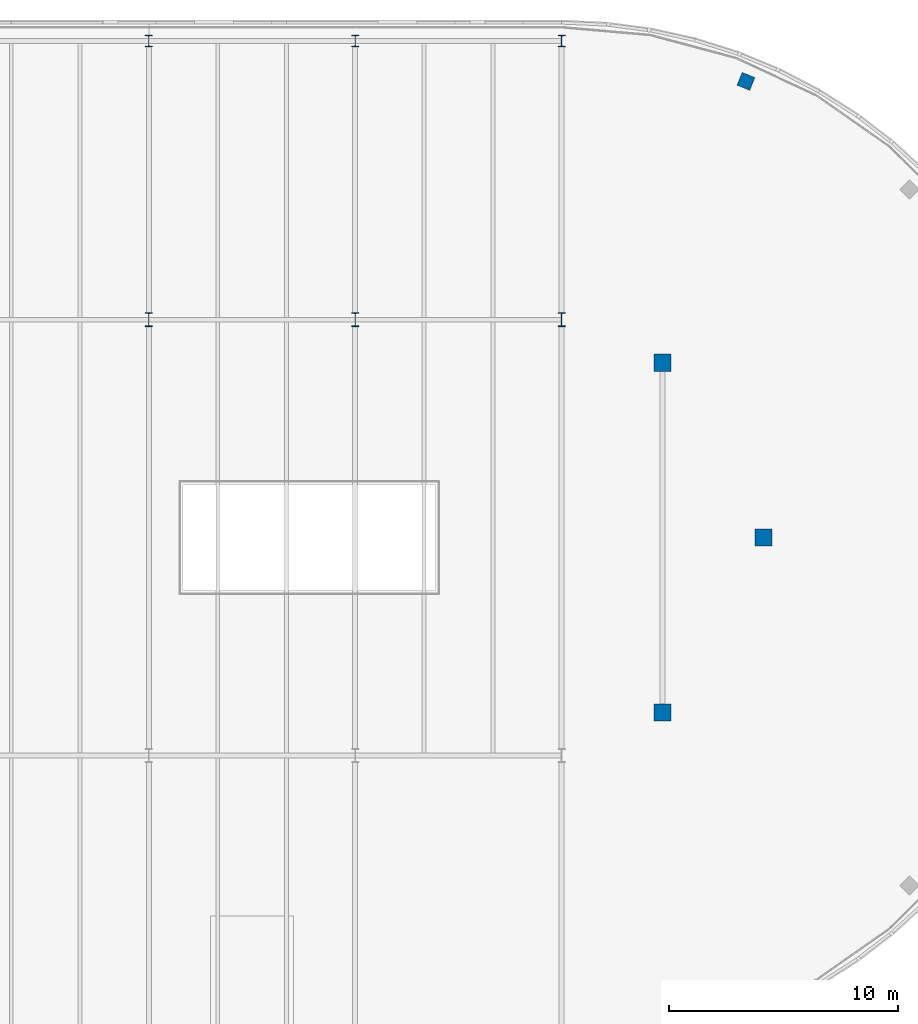
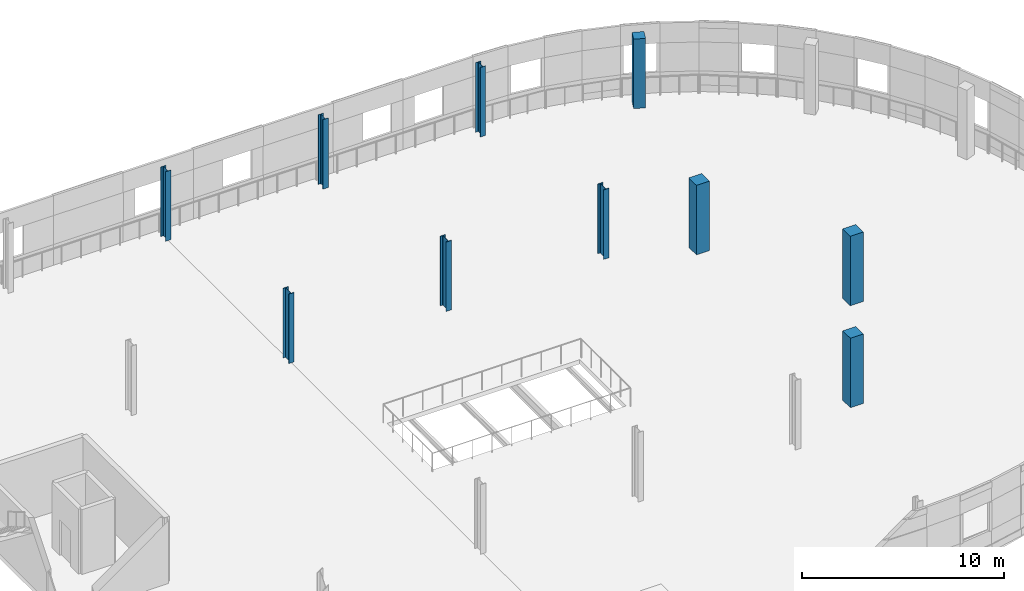
# One storey, part 9 of 103: 10 columns.
"""IFC4 building model written with IfcOpenShell, lengths in metres."""

from ifc_helpers import new_model, si_unit, direction, frame, origin, origin_2d, place, context, subcontext, project, spatial, rectangle, i_section, extrude, material, material_profile, profile_set, type_object, element, save


model = new_model("IFC4")

# Units and contexts
model_context = context("Model", 3, precision=1e-05, world=origin(), true_north=direction((0.0, 1.0)))
body_context = subcontext(model_context, "Body", "Model", "MODEL_VIEW")
ifc_project = project(units=[si_unit("LENGTHUNIT", "METRE"), si_unit("AREAUNIT", "SQUARE_METRE"), si_unit("VOLUMEUNIT", "CUBIC_METRE"), si_unit("PLANEANGLEUNIT", "RADIAN"), si_unit("MASSUNIT", "GRAM", prefix="KILO")], contexts=[model_context])

# Site, building, storey
site_placement = place(None, origin())
site = spatial("IfcSite", under=ifc_project, at=site_placement, CompositionType="ELEMENT")
building_placement = place(site_placement, origin())
building = spatial("IfcBuilding", under=site, at=building_placement, Name="Deido Ridge Mobility Hub", CompositionType="ELEMENT")
storey_placement = place(building_placement, frame((0.0, 0.0, 12.60009765625)))
storey = spatial("IfcBuildingStorey", under=building, at=storey_placement, Name="L03", CompositionType="ELEMENT", Elevation=12.60009765625)

# Columns
ifc_material_1 = material(Name="Steel S355J2 EN 10025-2", Category="steel")
ifc_material_profile_1 = material_profile(ifc_material_1, i_section(OverallWidth=0.300048828125, OverallDepth=0.5, WebThickness=0.014404296875, FlangeThickness=0.028076171875, FilletRadius=0.027099609375, at=origin_2d()), Name="HEB 500")
ifc_profile_set_1 = profile_set([ifc_material_profile_1], Name="Steel S355J2 EN 10025-2")
column_type_1 = type_object("IfcColumnType", Name="COL-HEB500", PredefinedType="COLUMN", material=ifc_profile_set_1)
for number, where, z_axis, x_axis, name in (
    (1, (99.0, 125.14990234375, 0.0), (0.0, 0.0, 1.0), (1.0, 0.0, 0.0), "Structural column C5"),
    (2, (108.0, 125.14990234375, 0.0), (0.0, 0.0, 1.0), (1.0, 0.0, 0.0), "Structural column C5"),
    (3, (117.0, 125.14990234375, 0.0), (0.0, 0.0, 1.0), (1.0, 0.0, 0.0), "Structural column C5"),
):
    element("IfcColumn", number, at=place(storey_placement, frame(where, z_axis=z_axis, x_axis=x_axis)), inside=storey, type_object=column_type_1, Name=name, PredefinedType="COLUMN", context=body_context, shape_type="SweptSolid", body=[
        extrude(i_section(OverallWidth=0.300048828125, OverallDepth=0.5, WebThickness=0.014404296875, FlangeThickness=0.028076171875, FilletRadius=0.027099609375, at=origin_2d()), origin(), (0.0, 0.0, 1.0), 4.199951171875),
    ])
ifc_material_profile_2 = material_profile(ifc_material_1, i_section(OverallWidth=0.300048828125, OverallDepth=0.60009765625, WebThickness=0.015380859375, FlangeThickness=0.030029296875, FilletRadius=0.027099609375, at=origin_2d()), Name="HEB 600")
ifc_profile_set_2 = profile_set([ifc_material_profile_2], Name="Steel S355J2 EN 10025-2")
column_type_2 = type_object("IfcColumnType", Name="COL-HEB600", PredefinedType="COLUMN", material=ifc_profile_set_2)
for number, where, z_axis, x_axis, name in (
    (4, (99.0, 113.0, 0.0), (0.0, 0.0, 1.0), (1.0, 0.0, 0.0), "Structural column C4"),
    (5, (108.0, 113.0, 0.0), (0.0, 0.0, 1.0), (1.0, 0.0, 0.0), "Structural column C4"),
    (6, (117.0, 113.0, 0.0), (0.0, 0.0, 1.0), (1.0, 0.0, 0.0), "Structural column C4"),
):
    element("IfcColumn", number, at=place(storey_placement, frame(where, z_axis=z_axis, x_axis=x_axis)), inside=storey, type_object=column_type_2, Name=name, PredefinedType="COLUMN", context=body_context, shape_type="SweptSolid", body=[
        extrude(i_section(OverallWidth=0.300048828125, OverallDepth=0.60009765625, WebThickness=0.015380859375, FlangeThickness=0.030029296875, FilletRadius=0.027099609375, at=origin_2d()), origin(), (0.0, 0.0, 1.0), 4.199951171875),
    ])
ifc_material_2 = material(Name="Concrete C40/50", Category="concrete")
ifc_material_profile_3 = material_profile(ifc_material_2, rectangle(XDim=0.60009765625, YDim=0.60009765625, at=origin_2d()), Name="RC COL 600x600")
ifc_profile_set_3 = profile_set([ifc_material_profile_3], Name="Concrete C40/50")
column_type_3 = type_object("IfcColumnType", Name="COL-RC600", PredefinedType="COLUMN", material=ifc_profile_set_3)
column_placement = place(storey_placement, frame((125.035400390625, 123.38818359375, 0.0), z_axis=(0.0, 0.0, 1.0), x_axis=(0.374606593416, 0.927183854567, 0.0)))
element("IfcColumn", 7, at=column_placement, inside=storey, type_object=column_type_3, Name="Structural column RC2", PredefinedType="COLUMN", context=body_context, shape_type="SweptSolid", body=[
    extrude(rectangle(XDim=0.60009765625, YDim=0.60009765625, at=origin_2d()), origin(), (0.0, 0.0, 1.0), 4.199951171875),
])
ifc_material_profile_4 = material_profile(ifc_material_2, rectangle(XDim=0.75, YDim=0.75, at=origin_2d()), Name="RC COL 750x750")
ifc_profile_set_4 = profile_set([ifc_material_profile_4], Name="Concrete C40/50")
column_type_4 = type_object("IfcColumnType", Name="COL-RC750", PredefinedType="COLUMN", material=ifc_profile_set_4)
for number, where, z_axis, x_axis, name in (
    (8, (121.39990234375, 95.87890625, 0.0), (0.0, 0.0, 1.0), (1.0, 0.0, 0.0), "Structural column RC1"),
    (9, (125.800048828125, 103.5, 0.0), (0.0, 0.0, 1.0), (1.0, 0.0, 0.0), "Structural column RC1"),
    (10, (121.39990234375, 111.12109375, 0.0), (0.0, 0.0, 1.0), (1.0, 0.0, 0.0), "Structural column RC1"),
):
    element("IfcColumn", number, at=place(storey_placement, frame(where, z_axis=z_axis, x_axis=x_axis)), inside=storey, type_object=column_type_4, Name=name, PredefinedType="COLUMN", context=body_context, shape_type="SweptSolid", body=[
        extrude(rectangle(XDim=0.75, YDim=0.75, at=origin_2d()), origin(), (0.0, 0.0, 1.0), 4.199951171875),
    ])

save(model, "model.ifc")
